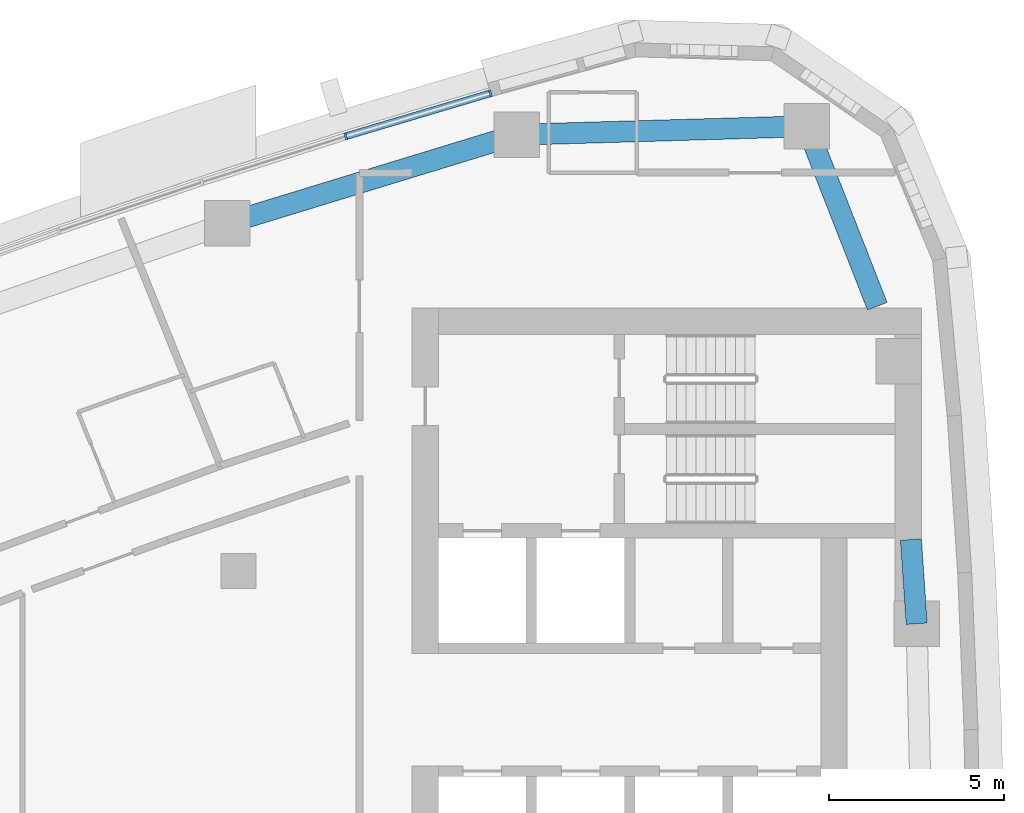
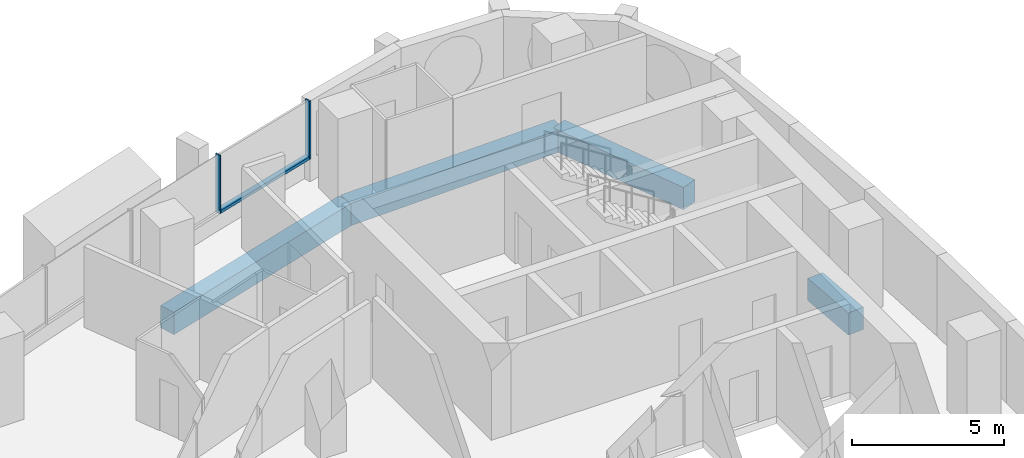
# One storey, part 7 of 16: 4 beams, 3 members, 1 element without a shape of its own.
"""IFC4 building model written with IfcOpenShell, lengths in metres."""

from ifc_helpers import new_model, si_unit, direction, frame, origin, origin_2d, place, context, subcontext, project, spatial, rectangle, extrude, material, layer, layer_set, material_profile, profile_set, type_object, element, aggregate, save


model = new_model("IFC4")

# Units and contexts
model_context = context("Model", 3, precision=1e-05, world=origin(), true_north=direction((0.0, 1.0)))
body_context = subcontext(model_context, "Body", "Model", "MODEL_VIEW")
ifc_project = project(units=[si_unit("LENGTHUNIT", "METRE"), si_unit("AREAUNIT", "SQUARE_METRE"), si_unit("VOLUMEUNIT", "CUBIC_METRE"), si_unit("PLANEANGLEUNIT", "RADIAN"), si_unit("MASSUNIT", "GRAM", prefix="KILO")], contexts=[model_context])

# Site, building, storey
site_placement = place(None, origin())
site = spatial("IfcSite", under=ifc_project, at=site_placement, CompositionType="ELEMENT")
building_placement = place(site_placement, origin())
building = spatial("IfcBuilding", under=site, at=building_placement, Name="Ostrand Prow Hotel Tower", CompositionType="ELEMENT")
storey_placement = place(building_placement, frame((0.0, 0.0, 186.14990234375)))
storey = spatial("IfcBuildingStorey", under=building, at=storey_placement, Name="L46", CompositionType="ELEMENT", Elevation=186.14990234375)

# Beams
ifc_material_1 = material(Name="Concrete C60/75", Category="concrete")
ifc_material_profile_1 = material_profile(ifc_material_1, rectangle(XDim=0.60009765625, YDim=0.89990234375, at=origin_2d()), Name="RC 600x900")
ifc_profile_set_1 = profile_set([ifc_material_profile_1], Name="Concrete C60/75")
beam_type = type_object("IfcBeamType", Name="Edge beam 600x900 C60/75", PredefinedType="SPANDREL", material=ifc_profile_set_1)
beam_1_placement = place(storey_placement, frame((64.330322265625, 7.499267578125, -0.75), z_axis=(-0.067778284608, 0.997700408006, 0.0), x_axis=(-0.997700408006, -0.067778284608, 0.0)))
element("IfcBeam", 1, at=beam_1_placement, inside=storey, type_object=beam_type, Name="Edge beam B4-B5", PredefinedType="SPANDREL", context=body_context, shape_type="SweptSolid", body=[
    extrude(rectangle(XDim=0.60009765625, YDim=0.89990234375, at=origin_2d()), origin(), (0.0, 0.0, 1.0), 2.40625),
])
beam_2_placement = place(storey_placement, frame((63.2080078125, 16.550048828125, -0.75), z_axis=(-0.364802049817, 0.931085100541, 0.0), x_axis=(-0.931085100541, -0.364802049817, 0.0)))
element("IfcBeam", 2, at=beam_2_placement, inside=storey, type_object=beam_type, Name="Edge beam B5-NE", PredefinedType="SPANDREL", context=body_context, shape_type="SweptSolid", body=[
    extrude(rectangle(XDim=0.60009765625, YDim=0.89990234375, at=origin_2d()), origin(), (0.0, 0.0, 1.0), 5.508544921875),
])
beam_3_placement = place(storey_placement, frame((61.198486328125, 21.678955078125, -0.75), z_axis=(-0.999575901438, -0.029120735993, 0.0), x_axis=(0.029120735993, -0.999575901438, 0.0)))
element("IfcBeam", 3, at=beam_3_placement, inside=storey, type_object=beam_type, Name="Edge beam NE-N1", PredefinedType="SPANDREL", context=body_context, shape_type="SweptSolid", body=[
    extrude(rectangle(XDim=0.60009765625, YDim=0.89990234375, at=origin_2d()), origin(), (0.0, 0.0, 1.0), 8.274658203125),
])
beam_4_placement = place(storey_placement, frame((52.92724609375, 21.43798828125, -0.75), z_axis=(-0.956245556413, -0.292565267659, 0.0), x_axis=(0.292565267659, -0.956245556413, 0.0)))
element("IfcBeam", 4, at=beam_4_placement, inside=storey, type_object=beam_type, Name="Edge beam N1-N2", PredefinedType="SPANDREL", context=body_context, shape_type="SweptSolid", body=[
    extrude(rectangle(XDim=0.60009765625, YDim=0.89990234375, at=origin_2d()), origin(), (0.0, 0.0, 1.0), 8.621826171875),
])

# Curtain wall, members
ifc_material_2 = material(Name="Insulated glass in bronze anodised frame", Category="glass")
ifc_layer = layer(ifc_material_2, 0.199951171875)
ifc_layer_set = layer_set([ifc_layer], Name="Insulated glass in bronze anodised frame")
curtain_wall_type = type_object("IfcCurtainWallType", Name="Strip curtain wall, fritted glass over bronze spandrel", PredefinedType="NOTDEFINED", material=ifc_layer_set)
curtain_wall_placement = place(storey_placement, origin())
curtain_wall = element("IfcCurtainWall", 5, at=curtain_wall_placement, inside=storey, type_object=curtain_wall_type, Name="CW1 run CWN1", PredefinedType="NOTDEFINED")
ifc_material_3 = material(Name="Bronze anodised aluminium", Category="aluminium")
ifc_material_profile_2 = material_profile(ifc_material_3, rectangle(XDim=0.199951171875, YDim=0.06005859375, at=origin_2d()), Name="Mullion 60x200 bronze anodised aluminium")
ifc_profile_set_2 = profile_set([ifc_material_profile_2], Name="Bronze anodised aluminium")
member_type_1 = type_object("IfcMemberType", Name="Mullion 60x200 bronze anodised aluminium", PredefinedType="MULLION", material=ifc_profile_set_2)
member_1_placement = place(storey_placement, frame((52.182373046875, 22.619384765625, 0.900146484375), z_axis=(0.0, 0.0, 1.0), x_axis=(0.284544113619, -0.958662947758, 0.0)))
member_1 = element("IfcMember", 6, at=member_1_placement, type_object=member_type_1, Name="CW1 mullion 1", PredefinedType="MULLION", context=body_context, shape_type="SweptSolid", body=[
    extrude(rectangle(XDim=0.199951171875, YDim=0.06005859375, at=origin_2d()), origin(), (0.0, 0.0, 1.0), 2.349853515625),
])
member_2_placement = place(storey_placement, frame((48.055419921875, 21.39453125, 0.900146484375), z_axis=(0.0, 0.0, 1.0), x_axis=(0.303786970008, -0.952739983864, 0.0)))
member_2 = element("IfcMember", 7, at=member_2_placement, type_object=member_type_1, Name="CW1 mullion 2", PredefinedType="MULLION", context=body_context, shape_type="SweptSolid", body=[
    extrude(rectangle(XDim=0.199951171875, YDim=0.06005859375, at=origin_2d()), origin(), (0.0, 0.0, 1.0), 2.349853515625),
])
ifc_material_4 = material(Name="Bronze anodised aluminium", Category="aluminium")
ifc_material_profile_3 = material_profile(ifc_material_4, rectangle(XDim=0.199951171875, YDim=0.1201171875, at=origin_2d()), Name="Transom 120x200 bronze anodised aluminium")
ifc_profile_set_3 = profile_set([ifc_material_profile_3], Name="Bronze anodised aluminium")
member_type_2 = type_object("IfcMemberType", Name="Transom 120x200 bronze anodised aluminium", PredefinedType="USERDEFINED", material=ifc_profile_set_3)
member_3_placement = place(storey_placement, frame((52.15380859375, 22.611083984375, 0.960205078125), z_axis=(-0.958661084062, -0.284550392558, 0.0), x_axis=(0.284550392558, -0.958661084062, 0.0)))
member_3 = element("IfcMember", 8, at=member_3_placement, type_object=member_type_2, Name="CW1 transom 1.1", ObjectType="TRANSOM", PredefinedType="USERDEFINED", context=body_context, shape_type="SweptSolid", body=[
    extrude(rectangle(XDim=0.199951171875, YDim=0.1201171875, at=origin_2d()), origin(), (0.0, 0.0, 1.0), 4.245361328125),
])
aggregate(curtain_wall, [member_1, member_2, member_3])

save(model, "model.ifc")
